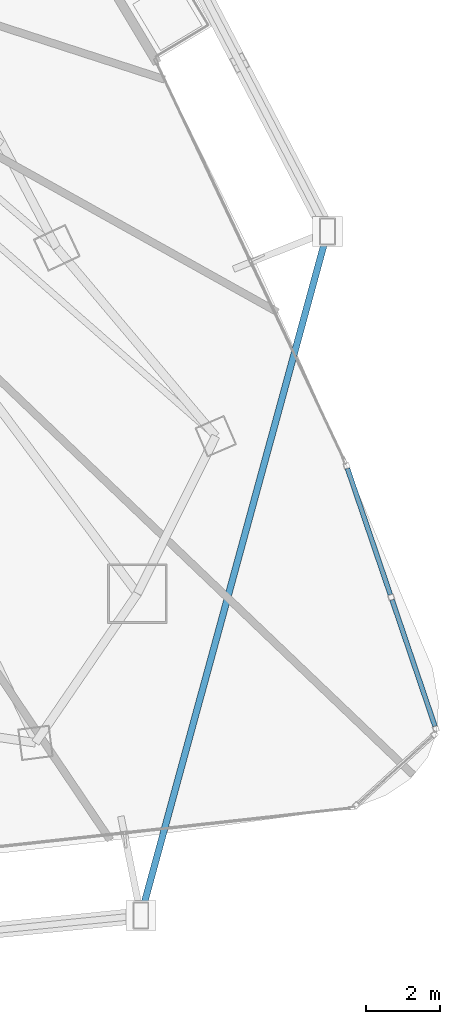
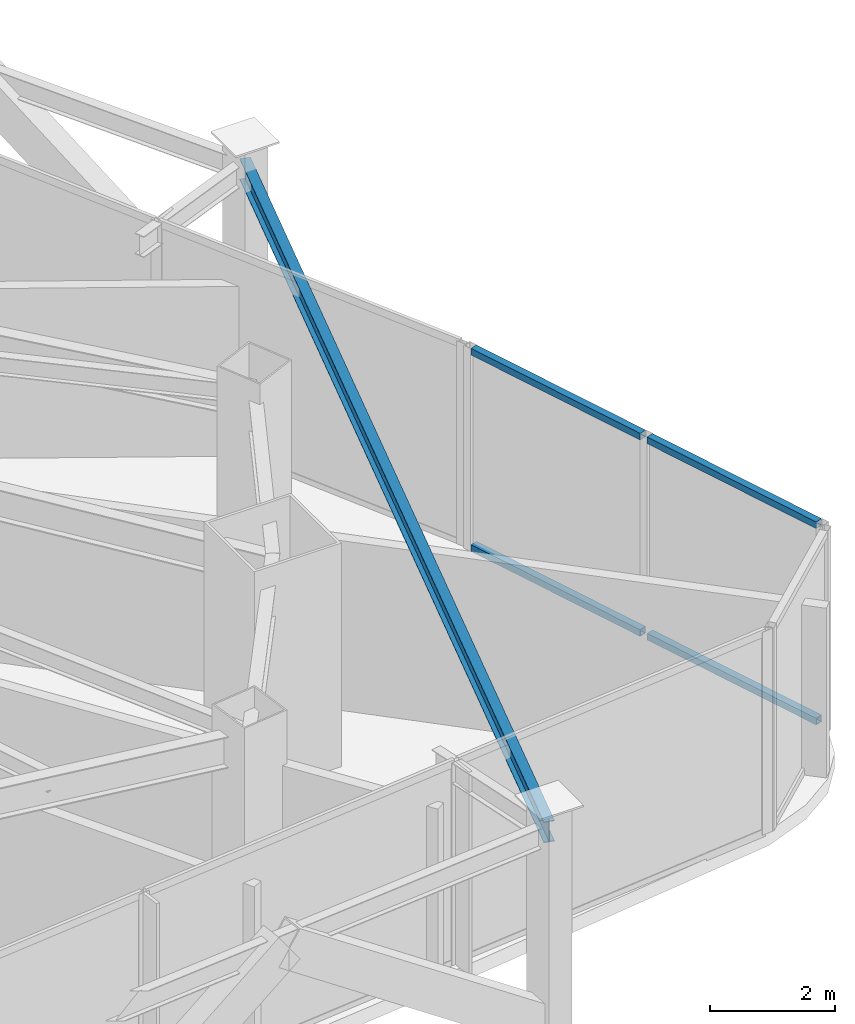
# One storey, part 14 of 33: 4 members, 1 beam, 1 element without a shape of its own.
"""IFC4 building model written with IfcOpenShell, lengths in metres."""

from ifc_helpers import new_model, si_unit, direction, frame, origin, origin_2d, place, context, subcontext, project, spatial, hollow_rectangle, i_section, extrude, material, layer, layer_set, material_profile, profile_set, type_object, element, aggregate, save


model = new_model("IFC4")

# Units and contexts
model_context = context("Model", 3, precision=1e-05, world=origin(), true_north=direction((0.0, 1.0)))
body_context = subcontext(model_context, "Body", "Model", "MODEL_VIEW")
ifc_project = project(units=[si_unit("LENGTHUNIT", "METRE"), si_unit("AREAUNIT", "SQUARE_METRE"), si_unit("VOLUMEUNIT", "CUBIC_METRE"), si_unit("PLANEANGLEUNIT", "RADIAN"), si_unit("MASSUNIT", "GRAM", prefix="KILO")], contexts=[model_context])

# Site, building, storey
site_placement = place(None, origin())
site = spatial("IfcSite", under=ifc_project, at=site_placement, CompositionType="ELEMENT")
building_placement = place(site_placement, origin())
building = spatial("IfcBuilding", under=site, at=building_placement, Name="Orvanel Arch Residences", CompositionType="ELEMENT")
storey_placement = place(building_placement, frame((0.0, 0.0, 97.25)))
storey = spatial("IfcBuildingStorey", under=building, at=storey_placement, Name="L27", CompositionType="ELEMENT", Elevation=97.25)

# Beam
ifc_material_1 = material(Name="Structural steel AS/NZS 3679.1 Grade 300 (300 MPa)", Category="steel")
ifc_material_profile_1 = material_profile(ifc_material_1, i_section(OverallWidth=0.177978515625, OverallDepth=0.406005859375, WebThickness=0.0078125, FlangeThickness=0.0126953125, at=origin_2d()), Name="410UB59.7")
ifc_profile_set_1 = profile_set([ifc_material_profile_1], Name="Structural steel AS/NZS 3679.1 Grade 300 (300 MPa)")
beam_type = type_object("IfcBeamType", Name="OB-410UB-EXT", PredefinedType="SPANDREL", material=ifc_profile_set_1)
beam_placement = place(storey_placement, frame((51.89306640625, 1.697021484375, 3.7470703125), z_axis=(0.263277850291, 0.964720049313, 0.0), x_axis=(-0.964720049313, 0.263277850291, 0.0)))
element("IfcBeam", 1, at=beam_placement, inside=storey, type_object=beam_type, Name="L27 Outer Perimeter Floor Ring Beam 08", PredefinedType="SPANDREL", context=body_context, shape_type="SweptSolid", body=[
    extrude(i_section(OverallWidth=0.177978515625, OverallDepth=0.406005859375, WebThickness=0.0078125, FlangeThickness=0.0126953125, at=origin_2d()), origin(), (0.0, 0.0, 1.0), 19.055419921875),
])

# Curtain wall, members
ifc_material_2 = material(Name="Bronze-anodised aluminium AA6063-T6", Category="aluminium")
ifc_layer = layer(ifc_material_2, 0.18994140625)
ifc_layer_set = layer_set([ifc_layer], Name="Bronze-anodised aluminium AA6063-T6")
curtain_wall_type = type_object("IfcCurtainWallType", Name="CW5-CRN-SYS", PredefinedType="NOTDEFINED", material=ifc_layer_set)
curtain_wall_placement = place(storey_placement, origin())
curtain_wall = element("IfcCurtainWall", 2, at=curtain_wall_placement, inside=storey, type_object=curtain_wall_type, Name="L27 CW5-CRN-SYS Unitised Curtain Wall", PredefinedType="NOTDEFINED")
ifc_material_profile_2 = material_profile(ifc_material_2, hollow_rectangle(XDim=0.1298828125, YDim=0.1298828125, WallThickness=0.00439453125, at=origin_2d()), Name="ALU130x130x4.5")
ifc_profile_set_2 = profile_set([ifc_material_profile_2], Name="Bronze-anodised aluminium AA6063-T6")
member_type = type_object("IfcMemberType", Name="TRN-130x130", PredefinedType="USERDEFINED", material=ifc_profile_set_2)
member_1_placement = place(storey_placement, frame((59.796875, 6.7880859375, 0.06494140625), z_axis=(-0.321476378307, 0.946917598416, 0.0), x_axis=(-0.946917598416, -0.321476378307, 0.0)))
member_1 = element("IfcMember", 3, at=member_1_placement, type_object=member_type, Name="CW-S5 transom 1.1", ObjectType="TRANSOM", PredefinedType="USERDEFINED", context=body_context, shape_type="SweptSolid", body=[
    extrude(hollow_rectangle(XDim=0.1298828125, YDim=0.1298828125, WallThickness=0.00439453125, at=origin_2d()), origin(), (0.0, 0.0, 1.0), 3.5830078125),
])
member_2_placement = place(storey_placement, frame((59.796875, 6.7880859375, 3.885009765625), z_axis=(-0.321476378307, 0.946917598416, 0.0), x_axis=(-0.946917598416, -0.321476378307, 0.0)))
member_2 = element("IfcMember", 4, at=member_2_placement, type_object=member_type, Name="CW-S5 transom 1.2", ObjectType="TRANSOM", PredefinedType="USERDEFINED", context=body_context, shape_type="SweptSolid", body=[
    extrude(hollow_rectangle(XDim=0.1298828125, YDim=0.1298828125, WallThickness=0.00439453125, at=origin_2d()), origin(), (0.0, 0.0, 1.0), 3.5830078125),
])
member_3_placement = place(storey_placement, frame((58.596923828125, 10.322998046875, 0.06494140625), z_axis=(-0.321394542126, 0.94694537767, 0.0), x_axis=(-0.94694537767, -0.321394542126, 0.0)))
member_3 = element("IfcMember", 5, at=member_3_placement, type_object=member_type, Name="CW-S5 transom 2.1", ObjectType="TRANSOM", PredefinedType="USERDEFINED", context=body_context, shape_type="SweptSolid", body=[
    extrude(hollow_rectangle(XDim=0.1298828125, YDim=0.1298828125, WallThickness=0.00439453125, at=origin_2d()), origin(), (0.0, 0.0, 1.0), 3.583251953125),
])
member_4_placement = place(storey_placement, frame((58.596923828125, 10.322998046875, 3.885009765625), z_axis=(-0.321394542126, 0.94694537767, 0.0), x_axis=(-0.94694537767, -0.321394542126, 0.0)))
member_4 = element("IfcMember", 6, at=member_4_placement, type_object=member_type, Name="CW-S5 transom 2.2", ObjectType="TRANSOM", PredefinedType="USERDEFINED", context=body_context, shape_type="SweptSolid", body=[
    extrude(hollow_rectangle(XDim=0.1298828125, YDim=0.1298828125, WallThickness=0.00439453125, at=origin_2d()), origin(), (0.0, 0.0, 1.0), 3.583251953125),
])
aggregate(curtain_wall, [member_1, member_2, member_3, member_4])

save(model, "model.ifc")
